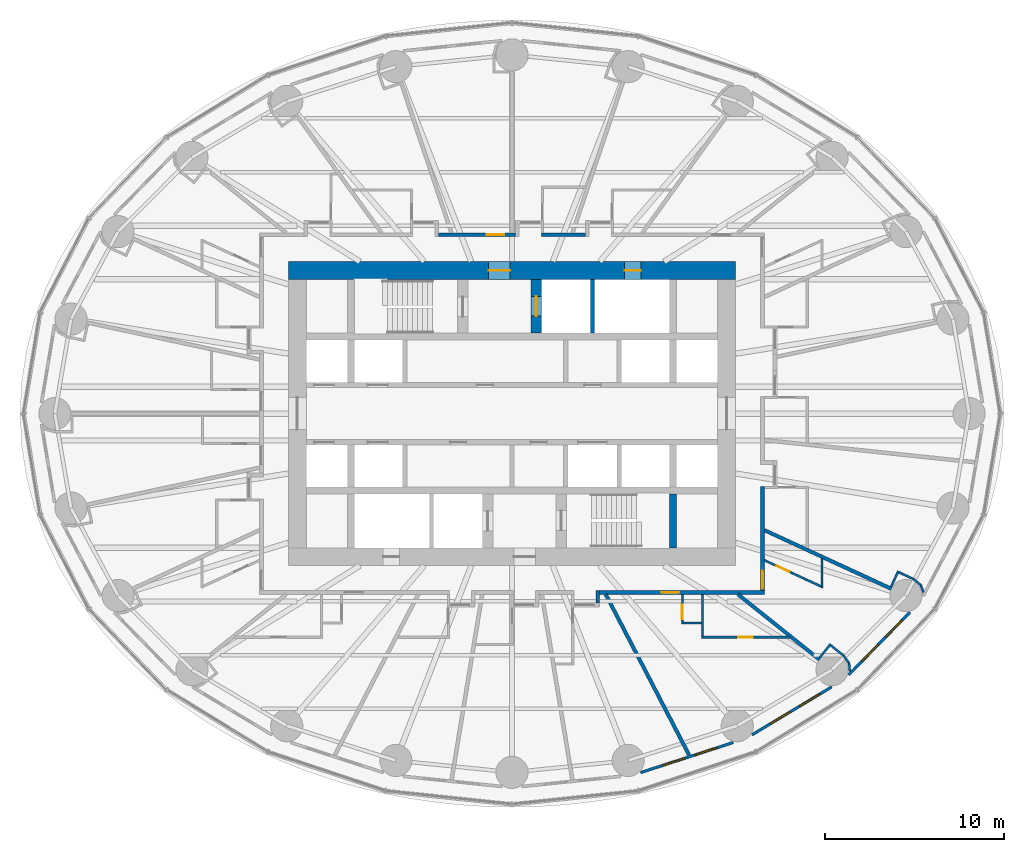
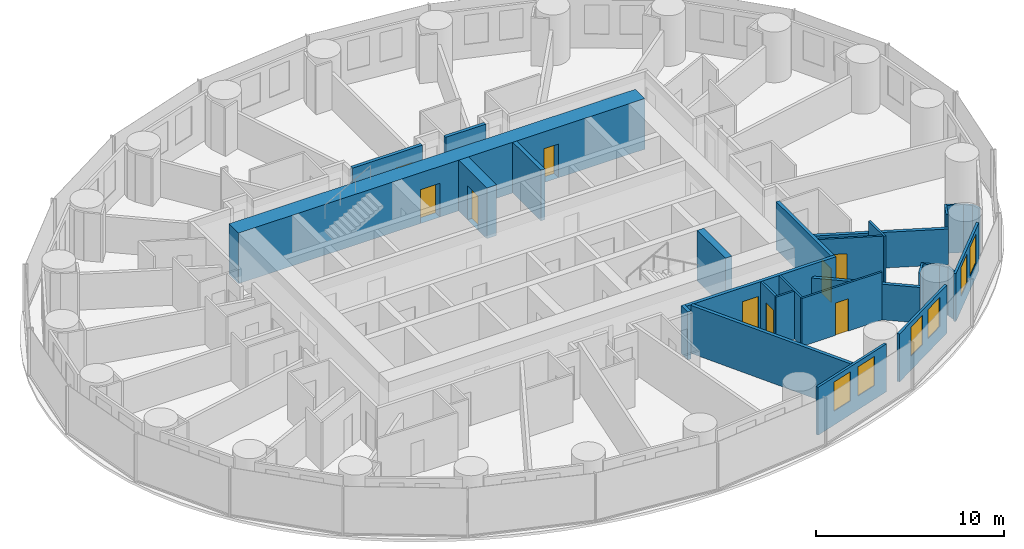
# One storey, part 9 of 14: 29 walls, 9 doors, 6 windows, 15 openings.
"""IFC4 building model written with IfcOpenShell, lengths in metres."""

from ifc_helpers import new_model, si_unit, direction, frame, frame_2d, origin, place, context, subcontext, project, spatial, rectangle, extrude, material, layer, layer_set, type_object, element, fill, save


model = new_model("IFC4")

# Units and contexts
model_context = context("Model", 3, precision=1e-05, world=origin(), true_north=direction((0.0, 1.0)))
body_context = subcontext(model_context, "Body", "Model", "MODEL_VIEW")
ifc_project = project(units=[si_unit("LENGTHUNIT", "METRE"), si_unit("AREAUNIT", "SQUARE_METRE"), si_unit("VOLUMEUNIT", "CUBIC_METRE"), si_unit("PLANEANGLEUNIT", "RADIAN"), si_unit("MASSUNIT", "GRAM", prefix="KILO")], contexts=[model_context])

# Site, building, storey
site_placement = place(None, origin())
site = spatial("IfcSite", under=ifc_project, at=site_placement, CompositionType="ELEMENT")
building_placement = place(site_placement, origin())
building = spatial("IfcBuilding", under=site, at=building_placement, Name="Hankou Lantern Tower", CompositionType="ELEMENT")
storey_placement = place(building_placement, frame((0.0, 0.0, 29.39990234375)))
storey = spatial("IfcBuildingStorey", under=building, at=storey_placement, Name="L05", CompositionType="ELEMENT", Elevation=29.39990234375)

# Wall, openings, doors
ifc_material_1 = material(Name="Concrete C60", Category="concrete")
ifc_layer_1 = layer(ifc_material_1, 1.0)
ifc_layer_set_1 = layer_set([ifc_layer_1], Name="Concrete C60")
wall_type_1 = type_object("IfcWallType", Name="CW1 CORE WALL 1000", PredefinedType="SHEAR", material=ifc_layer_set_1)
wall_1_placement = place(storey_placement, frame((-12.5, 8.0, 0.0), z_axis=(0.0, 0.0, 1.0), x_axis=(1.0, 0.0, 0.0)))
wall_1 = element("IfcWall", 1, at=wall_1_placement, inside=storey, type_object=wall_type_1, Name="Core wall north L05", PredefinedType="SHEAR", context=body_context, shape_type="SweptSolid", body=[
    extrude(rectangle(XDim=25.0, YDim=1.0, at=frame_2d((12.5, 0.0))), origin(), (0.0, 0.0, 1.0), 3.300048828125),
])
opening_1_placement = place(wall_1_placement, frame((11.199951171875, 0.0, 0.0)))
opening_1 = element("IfcOpeningElement", 2, at=opening_1_placement, cuts=wall_1, Name="Opening D5", PredefinedType="OPENING", context=body_context, shape_type="SweptSolid", body=[
    extrude(rectangle(XDim=1.199951171875, YDim=2.199951171875, at=frame_2d((0.60009765625, 1.10009765625))), frame((0.0, 0.510009765625, 0.0), z_axis=(0.0, -1.0, 0.0), x_axis=(1.0, 0.0, 0.0)), (0.0, 0.0, 1.0), 1.02001953125),
])
opening_2_placement = place(wall_1_placement, frame((18.800048828125, 0.0, 0.0)))
opening_2 = element("IfcOpeningElement", 3, at=opening_2_placement, cuts=wall_1, Name="Opening D7", PredefinedType="OPENING", context=body_context, shape_type="SweptSolid", body=[
    extrude(rectangle(XDim=0.89990234375, YDim=2.199951171875, at=frame_2d((0.449951171875, 1.10009765625))), frame((0.0, 0.510009765625, 0.0), z_axis=(0.0, -1.0, 0.0), x_axis=(1.0, 0.0, 0.0)), (0.0, 0.0, 1.0), 1.02001953125),
])
ifc_material_2 = material(Name="Steel door leaf", Category="steel")
door_type_1 = type_object("IfcDoorType", Name="D5 STAIR LOBBY DOOR 1200X2200", OperationType="SINGLE_SWING_LEFT", PredefinedType="DOOR", material=ifc_material_2)
door_1_placement = place(opening_1_placement, origin())
door_1 = element("IfcDoor", 4, at=door_1_placement, inside=storey, type_object=door_type_1, Name="Stair A lobby door", OperationType="SINGLE_SWING_LEFT", OverallHeight=2.199951171875, OverallWidth=1.199951171875, PredefinedType="DOOR", context=body_context, shape_type="SweptSolid", body=[
    extrude(rectangle(XDim=1.199951171875, YDim=2.199951171875, at=frame_2d((0.60009765625, 1.10009765625))), frame((0.0, 0.02490234375, 0.0), z_axis=(0.0, -1.0, 0.0), x_axis=(1.0, 0.0, 0.0)), (0.0, 0.0, 1.0), 0.050048828125),
])
fill(opening_1, door_1)
ifc_material_3 = material(Name="Steel door leaf", Category="steel")
door_type_2 = type_object("IfcDoorType", Name="D7 RISER DOOR 900X2200", OperationType="SINGLE_SWING_LEFT", PredefinedType="DOOR", material=ifc_material_3)
door_2_placement = place(opening_2_placement, origin())
door_2 = element("IfcDoor", 5, at=door_2_placement, inside=storey, type_object=door_type_2, Name="Riser N1 door", OperationType="SINGLE_SWING_RIGHT", OverallHeight=2.199951171875, OverallWidth=0.89990234375, PredefinedType="DOOR", context=body_context, shape_type="SweptSolid", body=[
    extrude(rectangle(XDim=0.89990234375, YDim=2.199951171875, at=frame_2d((0.449951171875, 1.10009765625))), frame((0.0, 0.02490234375, 0.0), z_axis=(0.0, -1.0, 0.0), x_axis=(1.0, 0.0, 0.0)), (0.0, 0.0, 1.0), 0.050048828125),
])
fill(opening_2, door_2)

# Wall
ifc_material_4 = material(Name="Concrete C60", Category="concrete")
ifc_layer_2 = layer(ifc_material_4, 0.39990234375)
ifc_layer_set_2 = layer_set([ifc_layer_2], Name="Concrete C60")
wall_type_2 = type_object("IfcWallType", Name="CW4 CORE CROSS WALL 400", PredefinedType="SHEAR", material=ifc_layer_set_2)
wall_2_placement = place(storey_placement, frame((9.0, -7.5, 0.0), z_axis=(0.0, 0.0, 1.0), x_axis=(0.0, 1.0, 0.0)))
element("IfcWall", 6, at=wall_2_placement, inside=storey, type_object=wall_type_2, Name="Core strip wall L05", PredefinedType="SHEAR", context=body_context, shape_type="SweptSolid", body=[
    extrude(rectangle(XDim=3.0, YDim=0.39990234375, at=frame_2d((1.5, 0.0))), origin(), (0.0, 0.0, 1.0), 3.300048828125),
])

# Wall, opening, door
ifc_material_5 = material(Name="Concrete C60", Category="concrete")
ifc_layer_3 = layer(ifc_material_5, 0.60009765625)
ifc_layer_set_3 = layer_set([ifc_layer_3], Name="Concrete C60")
wall_type_3 = type_object("IfcWallType", Name="CW6 STAIR AND SHAFT WALL 600", PredefinedType="SHEAR", material=ifc_layer_set_3)
wall_3_placement = place(storey_placement, frame((1.35009765625, 4.5, 0.0), z_axis=(0.0, 0.0, 1.0), x_axis=(0.0, 1.0, 0.0)))
wall_3 = element("IfcWall", 7, at=wall_3_placement, inside=storey, type_object=wall_type_3, Name="Firefighting lift shaft wall L05", PredefinedType="SHEAR", context=body_context, shape_type="SweptSolid", body=[
    extrude(rectangle(XDim=3.0, YDim=0.60009765625, at=frame_2d((1.5, 0.0))), origin(), (0.0, 0.0, 1.0), 3.300048828125),
])
opening_3_placement = place(wall_3_placement, frame((0.949951171875, 0.0, 0.0)))
opening_3 = element("IfcOpeningElement", 8, at=opening_3_placement, cuts=wall_3, Name="Opening LD2", PredefinedType="OPENING", context=body_context, shape_type="SweptSolid", body=[
    extrude(rectangle(XDim=1.10009765625, YDim=2.199951171875, at=frame_2d((0.550048828125, 1.10009765625))), frame((0.0, 0.31005859375, 0.0), z_axis=(0.0, -1.0, 0.0), x_axis=(1.0, 0.0, 0.0)), (0.0, 0.0, 1.0), 0.6201171875),
])
ifc_material_6 = material(Name="Steel door leaf", Category="steel")
door_type_3 = type_object("IfcDoorType", Name="LD2 FIREFIGHTING LIFT LANDING DOOR 1100X2200", OperationType="DOUBLE_DOOR_SLIDING", PredefinedType="DOOR", material=ifc_material_6)
door_3_placement = place(opening_3_placement, origin())
door_3 = element("IfcDoor", 9, at=door_3_placement, inside=storey, type_object=door_type_3, Name="Firefighting lift FL1 landing door", OperationType="DOUBLE_DOOR_SLIDING", OverallHeight=2.199951171875, OverallWidth=1.10009765625, PredefinedType="DOOR", context=body_context, shape_type="SweptSolid", body=[
    extrude(rectangle(XDim=1.10009765625, YDim=2.199951171875, at=frame_2d((0.550048828125, 1.10009765625))), frame((0.0, 0.02490234375, 0.0), z_axis=(0.0, -1.0, 0.0), x_axis=(1.0, 0.0, 0.0)), (0.0, 0.0, 1.0), 0.050048828125),
])
fill(opening_3, door_3)

# Wall, openings, windows
ifc_material_7 = material(Name="Aluminium spandrel panel on steel studs", Category="steel")
ifc_layer_4 = layer(ifc_material_7, 0.14990234375)
ifc_layer_set_4 = layer_set([ifc_layer_4], Name="Aluminium spandrel panel on steel studs")
wall_type_4 = type_object("IfcWallType", Name="EW1 INNER SKIN WALL 150", PredefinedType="ELEMENTEDWALL", material=ifc_layer_set_4)
wall_4_placement = place(storey_placement, frame((7.188232421875, -20.06494140625, 0.0), z_axis=(0.0, 0.0, 1.0), x_axis=(0.951138486029, 0.308764603532, 0.0)))
wall_4 = element("IfcWall", 10, at=wall_4_placement, inside=storey, type_object=wall_type_4, Name="Inner skin R20-R21 L05", PredefinedType="ELEMENTEDWALL", context=body_context, shape_type="SweptSolid", body=[
    extrude(rectangle(XDim=5.444091796875, YDim=0.14990234375, at=frame_2d((2.72216796875, 0.0))), origin(), (0.0, 0.0, 1.0), 3.1201171875),
])
opening_4_placement = place(wall_4_placement, frame((1.2841796875, 0.0, 0.89990234375)))
opening_4 = element("IfcOpeningElement", 11, at=opening_4_placement, cuts=wall_4, Name="Opening W9", PredefinedType="OPENING", context=body_context, shape_type="SweptSolid", body=[
    extrude(rectangle(XDim=1.300048828125, YDim=1.89990234375, at=frame_2d((0.64990234375, 0.949951171875))), frame((0.0, 0.0849609375, 0.0), z_axis=(0.0, -1.0, 0.0), x_axis=(1.0, 0.0, 0.0)), (0.0, 0.0, 1.0), 0.169921875),
])
opening_5_placement = place(wall_4_placement, frame((3.18408203125, 0.0, 0.89990234375)))
opening_5 = element("IfcOpeningElement", 12, at=opening_5_placement, cuts=wall_4, Name="Opening W9", PredefinedType="OPENING", context=body_context, shape_type="SweptSolid", body=[
    extrude(rectangle(XDim=1.300048828125, YDim=1.89990234375, at=frame_2d((0.64990234375, 0.949951171875))), frame((0.0, 0.0849609375, 0.0), z_axis=(0.0, -1.0, 0.0), x_axis=(1.0, 0.0, 0.0)), (0.0, 0.0, 1.0), 0.169921875),
])
ifc_material_8 = material(Name="Aluminium framed double glazed window", Category="aluminium")
window_type = type_object("IfcWindowType", Name="W9 GUEST ROOM WINDOW 1300X1900", PartitioningType="DOUBLE_PANEL_VERTICAL", PredefinedType="WINDOW", material=ifc_material_8)
window_1_placement = place(opening_4_placement, origin())
window_1 = element("IfcWindow", 13, at=window_1_placement, inside=storey, type_object=window_type, Name="Window R20.1 L05", OverallHeight=1.89990234375, OverallWidth=1.300048828125, PartitioningType="SINGLE_PANEL", PredefinedType="WINDOW", context=body_context, shape_type="SweptSolid", body=[
    extrude(rectangle(XDim=1.300048828125, YDim=1.89990234375, at=frame_2d((0.64990234375, 0.949951171875))), frame((0.0, 0.030029296875, 0.0), z_axis=(0.0, -1.0, 0.0), x_axis=(1.0, 0.0, 0.0)), (0.0, 0.0, 1.0), 0.06005859375),
])
fill(opening_4, window_1)
window_2_placement = place(opening_5_placement, origin())
window_2 = element("IfcWindow", 14, at=window_2_placement, inside=storey, type_object=window_type, Name="Window R20.2 L05", OverallHeight=1.89990234375, OverallWidth=1.300048828125, PartitioningType="SINGLE_PANEL", PredefinedType="WINDOW", context=body_context, shape_type="SweptSolid", body=[
    extrude(rectangle(XDim=1.300048828125, YDim=1.89990234375, at=frame_2d((0.64990234375, 0.949951171875))), frame((0.0, 0.030029296875, 0.0), z_axis=(0.0, -1.0, 0.0), x_axis=(1.0, 0.0, 0.0)), (0.0, 0.0, 1.0), 0.06005859375),
])
fill(opening_5, window_2)

wall_5_placement = place(storey_placement, frame((13.412109375, -17.957275390625, 0.0), z_axis=(0.0, 0.0, 1.0), x_axis=(0.856958191554, 0.515385931054, 0.0)))
wall_5 = element("IfcWall", 15, at=wall_5_placement, inside=storey, type_object=wall_type_4, Name="Inner skin R21-R22 L05", PredefinedType="ELEMENTEDWALL", context=body_context, shape_type="SweptSolid", body=[
    extrude(rectangle(XDim=5.201171875, YDim=0.14990234375, at=frame_2d((2.6005859375, 0.0))), origin(), (0.0, 0.0, 1.0), 3.1201171875),
])
opening_6_placement = place(wall_5_placement, frame((1.22509765625, 0.0, 0.89990234375)))
opening_6 = element("IfcOpeningElement", 16, at=opening_6_placement, cuts=wall_5, Name="Opening W9", PredefinedType="OPENING", context=body_context, shape_type="SweptSolid", body=[
    extrude(rectangle(XDim=1.300048828125, YDim=1.89990234375, at=frame_2d((0.64990234375, 0.949951171875))), frame((0.0, 0.0849609375, 0.0), z_axis=(0.0, -1.0, 0.0), x_axis=(1.0, 0.0, 0.0)), (0.0, 0.0, 1.0), 0.169921875),
])
opening_7_placement = place(wall_5_placement, frame((3.125, 0.0, 0.89990234375)))
opening_7 = element("IfcOpeningElement", 17, at=opening_7_placement, cuts=wall_5, Name="Opening W9", PredefinedType="OPENING", context=body_context, shape_type="SweptSolid", body=[
    extrude(rectangle(XDim=1.300048828125, YDim=1.89990234375, at=frame_2d((0.64990234375, 0.949951171875))), frame((0.0, 0.0849609375, 0.0), z_axis=(0.0, -1.0, 0.0), x_axis=(1.0, 0.0, 0.0)), (0.0, 0.0, 1.0), 0.169921875),
])
window_3_placement = place(opening_6_placement, origin())
window_3 = element("IfcWindow", 18, at=window_3_placement, inside=storey, type_object=window_type, Name="Window R21.1 L05", OverallHeight=1.89990234375, OverallWidth=1.300048828125, PartitioningType="SINGLE_PANEL", PredefinedType="WINDOW", context=body_context, shape_type="SweptSolid", body=[
    extrude(rectangle(XDim=1.300048828125, YDim=1.89990234375, at=frame_2d((0.64990234375, 0.949951171875))), frame((0.0, 0.030029296875, 0.0), z_axis=(0.0, -1.0, 0.0), x_axis=(1.0, 0.0, 0.0)), (0.0, 0.0, 1.0), 0.06005859375),
])
fill(opening_6, window_3)
window_4_placement = place(opening_7_placement, origin())
window_4 = element("IfcWindow", 19, at=window_4_placement, inside=storey, type_object=window_type, Name="Window R21.2 L05", OverallHeight=1.89990234375, OverallWidth=1.300048828125, PartitioningType="SINGLE_PANEL", PredefinedType="WINDOW", context=body_context, shape_type="SweptSolid", body=[
    extrude(rectangle(XDim=1.300048828125, YDim=1.89990234375, at=frame_2d((0.64990234375, 0.949951171875))), frame((0.0, 0.030029296875, 0.0), z_axis=(0.0, -1.0, 0.0), x_axis=(1.0, 0.0, 0.0)), (0.0, 0.0, 1.0), 0.06005859375),
])
fill(opening_7, window_4)

wall_6_placement = place(storey_placement, frame((18.8134765625, -14.606689453125, 0.0), z_axis=(0.0, 0.0, 1.0), x_axis=(0.699612594083, 0.714522370679, 0.0)))
wall_6 = element("IfcWall", 20, at=wall_6_placement, inside=storey, type_object=wall_type_4, Name="Inner skin R22-R23 L05", PredefinedType="ELEMENTEDWALL", context=body_context, shape_type="SweptSolid", body=[
    extrude(rectangle(XDim=4.89599609375, YDim=0.14990234375, at=frame_2d((2.447998046875, 0.0))), origin(), (0.0, 0.0, 1.0), 3.1201171875),
])
opening_8_placement = place(wall_6_placement, frame((1.076904296875, 0.0, 0.89990234375)))
opening_8 = element("IfcOpeningElement", 21, at=opening_8_placement, cuts=wall_6, Name="Opening W9", PredefinedType="OPENING", context=body_context, shape_type="SweptSolid", body=[
    extrude(rectangle(XDim=1.300048828125, YDim=1.89990234375, at=frame_2d((0.64990234375, 0.949951171875))), frame((0.0, 0.0849609375, 0.0), z_axis=(0.0, -1.0, 0.0), x_axis=(1.0, 0.0, 0.0)), (0.0, 0.0, 1.0), 0.169921875),
])
opening_9_placement = place(wall_6_placement, frame((2.976806640625, 0.0, 0.89990234375)))
opening_9 = element("IfcOpeningElement", 22, at=opening_9_placement, cuts=wall_6, Name="Opening W9", PredefinedType="OPENING", context=body_context, shape_type="SweptSolid", body=[
    extrude(rectangle(XDim=1.300048828125, YDim=1.89990234375, at=frame_2d((0.64990234375, 0.949951171875))), frame((0.0, 0.0849609375, 0.0), z_axis=(0.0, -1.0, 0.0), x_axis=(1.0, 0.0, 0.0)), (0.0, 0.0, 1.0), 0.169921875),
])
window_5_placement = place(opening_8_placement, origin())
window_5 = element("IfcWindow", 23, at=window_5_placement, inside=storey, type_object=window_type, Name="Window R22.1 L05", OverallHeight=1.89990234375, OverallWidth=1.300048828125, PartitioningType="SINGLE_PANEL", PredefinedType="WINDOW", context=body_context, shape_type="SweptSolid", body=[
    extrude(rectangle(XDim=1.300048828125, YDim=1.89990234375, at=frame_2d((0.64990234375, 0.949951171875))), frame((0.0, 0.030029296875, 0.0), z_axis=(0.0, -1.0, 0.0), x_axis=(1.0, 0.0, 0.0)), (0.0, 0.0, 1.0), 0.06005859375),
])
fill(opening_8, window_5)
window_6_placement = place(opening_9_placement, origin())
window_6 = element("IfcWindow", 24, at=window_6_placement, inside=storey, type_object=window_type, Name="Window R22.2 L05", OverallHeight=1.89990234375, OverallWidth=1.300048828125, PartitioningType="SINGLE_PANEL", PredefinedType="WINDOW", context=body_context, shape_type="SweptSolid", body=[
    extrude(rectangle(XDim=1.300048828125, YDim=1.89990234375, at=frame_2d((0.64990234375, 0.949951171875))), frame((0.0, 0.030029296875, 0.0), z_axis=(0.0, -1.0, 0.0), x_axis=(1.0, 0.0, 0.0)), (0.0, 0.0, 1.0), 0.06005859375),
])
fill(opening_9, window_6)

# Walls
ifc_material_9 = material(Name="Masonry lightweight concrete block", Category="masonry")
ifc_layer_5 = layer(ifc_material_9, 0.199951171875)
ifc_layer_set_5 = layer_set([ifc_layer_5], Name="Masonry lightweight concrete block")
wall_type_5 = type_object("IfcWallType", Name="IW1 GUEST ROOM PARTY WALL 200", PredefinedType="PARTITIONING", material=ifc_layer_set_5)
wall_7_placement = place(storey_placement, frame((5.238525390625, -10.10009765625, 0.0), z_axis=(0.0, 0.0, 1.0), x_axis=(0.460422783389, -0.887699758103, 0.0)))
element("IfcWall", 25, at=wall_7_placement, inside=storey, type_object=wall_type_5, Name="Party wall R20-R21", PredefinedType="PARTITIONING", context=body_context, shape_type="SweptSolid", body=[
    extrude(rectangle(XDim=10.120361328125, YDim=0.199951171875, at=frame_2d((5.06005859375, 0.0))), origin(), (0.0, 0.0, 1.0), 3.1201171875),
])
wall_8_placement = place(storey_placement, frame((12.625, -10.10009765625, 0.0), z_axis=(0.0, 0.0, 1.0), x_axis=(0.780872884676, -0.624689953479, 0.0)))
element("IfcWall", 26, at=wall_8_placement, inside=storey, type_object=wall_type_5, Name="Party wall R22", PredefinedType="PARTITIONING", context=body_context, shape_type="SweptSolid", body=[
    extrude(rectangle(XDim=5.8447265625, YDim=0.199951171875, at=frame_2d((2.92236328125, 0.0))), origin(), (0.0, 0.0, 1.0), 2.320068359375),
])
wall_9_placement = place(storey_placement, frame((14.10009765625, -6.512451171875, 0.0), z_axis=(0.0, 0.0, 1.0), x_axis=(0.907842433118, -0.41931147925, 0.0)))
element("IfcWall", 27, at=wall_9_placement, inside=storey, type_object=wall_type_5, Name="Party wall R23", PredefinedType="PARTITIONING", context=body_context, shape_type="SweptSolid", body=[
    extrude(rectangle(XDim=7.822998046875, YDim=0.199951171875, at=frame_2d((3.91162109375, 0.0))), origin(), (0.0, 0.0, 1.0), 2.320068359375),
])
ifc_material_10 = material(Name="Masonry lightweight concrete block", Category="masonry")
ifc_layer_6 = layer(ifc_material_10, 0.199951171875)
ifc_layer_set_6 = layer_set([ifc_layer_6], Name="Masonry lightweight concrete block")
wall_type_6 = type_object("IfcWallType", Name="IW2 CORRIDOR WALL 200", PredefinedType="PARTITIONING", material=ifc_layer_set_6)
wall_10_placement = place(storey_placement, frame((4.794921875, -9.89990234375, 0.0), z_axis=(0.0, 0.0, 1.0), x_axis=(0.0, -1.0, 0.0)))
element("IfcWall", 28, at=wall_10_placement, inside=storey, type_object=wall_type_6, Name="Corridor recess wall 0521 side", PredefinedType="PARTITIONING", context=body_context, shape_type="SweptSolid", body=[
    extrude(rectangle(XDim=0.7001953125, YDim=0.199951171875, at=frame_2d((0.35009765625, 0.0))), origin(), (0.0, 0.0, 1.0), 3.1201171875),
])

# Wall, opening, door
wall_11_placement = place(storey_placement, frame((14.0, -9.89990234375, 0.0), z_axis=(0.0, 0.0, 1.0), x_axis=(0.0, 1.0, 0.0)))
wall_11 = element("IfcWall", 29, at=wall_11_placement, inside=storey, type_object=wall_type_6, Name="Corridor wall east", PredefinedType="PARTITIONING", context=body_context, shape_type="SweptSolid", body=[
    extrude(rectangle(XDim=5.827392578125, YDim=0.199951171875, at=frame_2d((2.91357421875, 0.0))), origin(), (0.0, 0.0, 1.0), 3.1201171875),
])
opening_10_placement = place(wall_11_placement, frame((0.1025390625, 0.0, 0.0)))
opening_10 = element("IfcOpeningElement", 30, at=opening_10_placement, cuts=wall_11, Name="Opening D1", PredefinedType="OPENING", context=body_context, shape_type="SweptSolid", body=[
    extrude(rectangle(XDim=1.0, YDim=2.199951171875, at=frame_2d((0.5, 1.10009765625))), frame((0.0, 0.10986328125, 0.0), z_axis=(0.0, -1.0, 0.0), x_axis=(1.0, 0.0, 0.0)), (0.0, 0.0, 1.0), 0.219970703125),
])
ifc_material_11 = material(Name="Steel door leaf", Category="steel")
door_type_4 = type_object("IfcDoorType", Name="D1 GUEST ROOM DOOR 1000X2200", OperationType="SINGLE_SWING_LEFT", PredefinedType="DOOR", material=ifc_material_11)
door_4_placement = place(opening_10_placement, origin())
door_4 = element("IfcDoor", 31, at=door_4_placement, inside=storey, type_object=door_type_4, Name="Guest room door 0501", OperationType="SINGLE_SWING_LEFT", OverallHeight=2.199951171875, OverallWidth=1.0, PredefinedType="DOOR", context=body_context, shape_type="SweptSolid", body=[
    extrude(rectangle(XDim=1.0, YDim=2.199951171875, at=frame_2d((0.5, 1.10009765625))), frame((0.0, 0.02490234375, 0.0), z_axis=(0.0, -1.0, 0.0), x_axis=(1.0, 0.0, 0.0)), (0.0, 0.0, 1.0), 0.050048828125),
])
fill(opening_10, door_4)

wall_12_placement = place(storey_placement, frame((-4.109130859375, 10.0, 0.0), z_axis=(0.0, 0.0, 1.0), x_axis=(1.0, 0.0, 0.0)))
wall_12 = element("IfcWall", 32, at=wall_12_placement, inside=storey, type_object=wall_type_6, Name="Corridor wall north", PredefinedType="PARTITIONING", context=body_context, shape_type="SweptSolid", body=[
    extrude(rectangle(XDim=4.31201171875, YDim=0.199951171875, at=frame_2d((2.156005859375, 0.0))), origin(), (0.0, 0.0, 1.0), 3.1201171875),
])
opening_11_placement = place(wall_12_placement, frame((2.68896484375, 0.0, 0.0)))
opening_11 = element("IfcOpeningElement", 33, at=opening_11_placement, cuts=wall_12, Name="Opening D28", PredefinedType="OPENING", context=body_context, shape_type="SweptSolid", body=[
    extrude(rectangle(XDim=1.0, YDim=2.199951171875, at=frame_2d((0.5, 1.10009765625))), frame((0.0, 0.10986328125, 0.0), z_axis=(0.0, -1.0, 0.0), x_axis=(1.0, 0.0, 0.0)), (0.0, 0.0, 1.0), 0.219970703125),
])
ifc_material_12 = material(Name="Steel door leaf", Category="steel")
door_type_5 = type_object("IfcDoorType", Name="D28 SERVICE DOOR 1000X2200", OperationType="SINGLE_SWING_LEFT", PredefinedType="DOOR", material=ifc_material_12)
door_5_placement = place(opening_11_placement, origin())
door_5 = element("IfcDoor", 34, at=door_5_placement, inside=storey, type_object=door_type_5, Name="Service door 0509", OperationType="SINGLE_SWING_RIGHT", OverallHeight=2.199951171875, OverallWidth=1.0, PredefinedType="DOOR", context=body_context, shape_type="SweptSolid", body=[
    extrude(rectangle(XDim=1.0, YDim=2.199951171875, at=frame_2d((0.5, 1.10009765625))), frame((0.0, 0.02490234375, 0.0), z_axis=(0.0, -1.0, 0.0), x_axis=(1.0, 0.0, 0.0)), (0.0, 0.0, 1.0), 0.050048828125),
])
fill(opening_11, door_5)

# Wall
wall_13_placement = place(storey_placement, frame((1.642822265625, 10.0, 0.0), z_axis=(0.0, 0.0, 1.0), x_axis=(1.0, 0.0, 0.0)))
element("IfcWall", 35, at=wall_13_placement, inside=storey, type_object=wall_type_6, Name="Corridor wall north", PredefinedType="PARTITIONING", context=body_context, shape_type="SweptSolid", body=[
    extrude(rectangle(XDim=2.46630859375, YDim=0.199951171875, at=frame_2d((1.233154296875, 0.0))), origin(), (0.0, 0.0, 1.0), 3.1201171875),
])

# Wall, opening, door
wall_14_placement = place(storey_placement, frame((14.10009765625, -10.0, 0.0), z_axis=(0.0, 0.0, 1.0), x_axis=(-1.0, 0.0, 0.0)))
wall_14 = element("IfcWall", 36, at=wall_14_placement, inside=storey, type_object=wall_type_6, Name="Corridor wall south", PredefinedType="PARTITIONING", context=body_context, shape_type="SweptSolid", body=[
    extrude(rectangle(XDim=9.205078125, YDim=0.199951171875, at=frame_2d((4.6025390625, 0.0))), origin(), (0.0, 0.0, 1.0), 3.1201171875),
])
opening_12_placement = place(wall_14_placement, frame((4.7548828125, 0.0, 0.0)))
opening_12 = element("IfcOpeningElement", 37, at=opening_12_placement, cuts=wall_14, Name="Opening D1", PredefinedType="OPENING", context=body_context, shape_type="SweptSolid", body=[
    extrude(rectangle(XDim=1.0, YDim=2.199951171875, at=frame_2d((0.5, 1.10009765625))), frame((0.0, 0.10986328125, 0.0), z_axis=(0.0, -1.0, 0.0), x_axis=(1.0, 0.0, 0.0)), (0.0, 0.0, 1.0), 0.219970703125),
])
door_6_placement = place(opening_12_placement, origin())
door_6 = element("IfcDoor", 38, at=door_6_placement, inside=storey, type_object=door_type_4, Name="Guest room door 0522", OperationType="SINGLE_SWING_LEFT", OverallHeight=2.199951171875, OverallWidth=1.0, PredefinedType="DOOR", context=body_context, shape_type="SweptSolid", body=[
    extrude(rectangle(XDim=1.0, YDim=2.199951171875, at=frame_2d((0.5, 1.10009765625))), frame((0.0, 0.02490234375, 0.0), z_axis=(0.0, -1.0, 0.0), x_axis=(1.0, 0.0, 0.0)), (0.0, 0.0, 1.0), 0.050048828125),
])
fill(opening_12, door_6)

# Wall
ifc_material_13 = material(Name="Masonry lightweight concrete block", Category="masonry")
ifc_layer_7 = layer(ifc_material_13, 0.1201171875)
ifc_layer_set_7 = layer_set([ifc_layer_7], Name="Masonry lightweight concrete block")
wall_type_7 = type_object("IfcWallType", Name="IW3 BATHROOM WALL 120", PredefinedType="PARTITIONING", material=ifc_layer_set_7)
wall_15_placement = place(storey_placement, frame((17.32275390625, -8.10107421875, 0.0), z_axis=(0.0, 0.0, 1.0), x_axis=(0.0, -1.0, 0.0)))
element("IfcWall", 39, at=wall_15_placement, inside=storey, type_object=wall_type_7, Name="Box wall 0501 1", PredefinedType="PARTITIONING", context=body_context, shape_type="SweptSolid", body=[
    extrude(rectangle(XDim=1.639892578125, YDim=0.1201171875, at=frame_2d((0.81982421875, 0.0))), origin(), (0.0, 0.0, 1.0), 3.1201171875),
])

# Wall, opening, door
wall_16_placement = place(storey_placement, frame((14.10009765625, -8.192626953125, 0.0), z_axis=(0.0, 0.0, 1.0), x_axis=(0.907836493557, -0.419324338628, 0.0)))
wall_16 = element("IfcWall", 40, at=wall_16_placement, inside=storey, type_object=wall_type_7, Name="Box wall 0501 1", PredefinedType="PARTITIONING", context=body_context, shape_type="SweptSolid", body=[
    extrude(rectangle(XDim=3.48974609375, YDim=0.1201171875, at=frame_2d((1.744873046875, 0.0))), origin(), (0.0, 0.0, 1.0), 3.1201171875),
])
opening_13_placement = place(wall_16_placement, frame((0.75, 0.0, 0.0)))
opening_13 = element("IfcOpeningElement", 41, at=opening_13_placement, cuts=wall_16, Name="Opening D3", PredefinedType="OPENING", context=body_context, shape_type="SweptSolid", body=[
    extrude(rectangle(XDim=0.800048828125, YDim=2.10009765625, at=frame_2d((0.39990234375, 1.050048828125))), frame((0.0, 0.070068359375, 0.0), z_axis=(0.0, -1.0, 0.0), x_axis=(1.0, 0.0, 0.0)), (0.0, 0.0, 1.0), 0.14013671875),
])
ifc_material_14 = material(Name="Timber door leaf", Category="wood")
door_type_6 = type_object("IfcDoorType", Name="D3 BATHROOM DOOR 800X2100", OperationType="SINGLE_SWING_LEFT", PredefinedType="DOOR", material=ifc_material_14)
door_7_placement = place(opening_13_placement, origin())
door_7 = element("IfcDoor", 42, at=door_7_placement, inside=storey, type_object=door_type_6, Name="En-suite bathroom 0501 door", OperationType="SINGLE_SWING_LEFT", OverallHeight=2.10009765625, OverallWidth=0.800048828125, PredefinedType="DOOR", context=body_context, shape_type="SweptSolid", body=[
    extrude(rectangle(XDim=0.800048828125, YDim=2.10009765625, at=frame_2d((0.39990234375, 1.050048828125))), frame((0.0, 0.02490234375, 0.0), z_axis=(0.0, -1.0, 0.0), x_axis=(1.0, 0.0, 0.0)), (0.0, 0.0, 1.0), 0.050048828125),
])
fill(opening_13, door_7)

wall_17_placement = place(storey_placement, frame((15.52490234375, -12.5, 0.0), z_axis=(0.0, 0.0, 1.0), x_axis=(-1.0, 0.0, 0.0)))
wall_17 = element("IfcWall", 43, at=wall_17_placement, inside=storey, type_object=wall_type_7, Name="Box wall 0522 1", PredefinedType="PARTITIONING", context=body_context, shape_type="SweptSolid", body=[
    extrude(rectangle(XDim=4.93994140625, YDim=0.1201171875, at=frame_2d((2.469970703125, 0.0))), origin(), (0.0, 0.0, 1.0), 3.1201171875),
])
opening_14_placement = place(wall_17_placement, frame((2.070068359375, 0.0, 0.0)))
opening_14 = element("IfcOpeningElement", 44, at=opening_14_placement, cuts=wall_17, Name="Opening D3", PredefinedType="OPENING", context=body_context, shape_type="SweptSolid", body=[
    extrude(rectangle(XDim=0.800048828125, YDim=2.10009765625, at=frame_2d((0.39990234375, 1.050048828125))), frame((0.0, 0.070068359375, 0.0), z_axis=(0.0, -1.0, 0.0), x_axis=(1.0, 0.0, 0.0)), (0.0, 0.0, 1.0), 0.14013671875),
])
door_8_placement = place(opening_14_placement, origin())
door_8 = element("IfcDoor", 45, at=door_8_placement, inside=storey, type_object=door_type_6, Name="En-suite bathroom 0522 door", OperationType="SINGLE_SWING_RIGHT", OverallHeight=2.10009765625, OverallWidth=0.800048828125, PredefinedType="DOOR", context=body_context, shape_type="SweptSolid", body=[
    extrude(rectangle(XDim=0.800048828125, YDim=2.10009765625, at=frame_2d((0.39990234375, 1.050048828125))), frame((0.0, 0.02490234375, 0.0), z_axis=(0.0, -1.0, 0.0), x_axis=(1.0, 0.0, 0.0)), (0.0, 0.0, 1.0), 0.050048828125),
])
fill(opening_14, door_8)

# Walls
wall_18_placement = place(storey_placement, frame((10.64501953125, -10.10009765625, 0.0), z_axis=(0.0, 0.0, 1.0), x_axis=(0.0, -1.0, 0.0)))
element("IfcWall", 46, at=wall_18_placement, inside=storey, type_object=wall_type_7, Name="Box wall 0522 1", PredefinedType="PARTITIONING", context=body_context, shape_type="SweptSolid", body=[
    extrude(rectangle(XDim=2.33984375, YDim=0.1201171875, at=frame_2d((1.169921875, 0.0))), origin(), (0.0, 0.0, 1.0), 3.1201171875),
])
wall_19_placement = place(storey_placement, frame((10.5849609375, -11.699951171875, 0.0), z_axis=(0.0, 0.0, 1.0), x_axis=(-1.0, 0.0, 0.0)))
element("IfcWall", 47, at=wall_19_placement, inside=storey, type_object=wall_type_7, Name="Box wall 0522 2", PredefinedType="PARTITIONING", context=body_context, shape_type="SweptSolid", body=[
    extrude(rectangle(XDim=1.119873046875, YDim=0.1201171875, at=frame_2d((0.56005859375, 0.0))), origin(), (0.0, 0.0, 1.0), 3.1201171875),
])

# Wall, opening, door
wall_20_placement = place(storey_placement, frame((9.52490234375, -10.10009765625, 0.0), z_axis=(0.0, 0.0, 1.0), x_axis=(0.0, -1.0, 0.0)))
wall_20 = element("IfcWall", 48, at=wall_20_placement, inside=storey, type_object=wall_type_7, Name="Box wall 0522 2", PredefinedType="PARTITIONING", context=body_context, shape_type="SweptSolid", body=[
    extrude(rectangle(XDim=1.539794921875, YDim=0.1201171875, at=frame_2d((0.77001953125, 0.0))), origin(), (0.0, 0.0, 1.0), 3.1201171875),
])
opening_15_placement = place(wall_20_placement, frame((0.590087890625, 0.0, 0.0)))
opening_15 = element("IfcOpeningElement", 49, at=opening_15_placement, cuts=wall_20, Name="Opening D3", PredefinedType="OPENING", context=body_context, shape_type="SweptSolid", body=[
    extrude(rectangle(XDim=0.800048828125, YDim=2.10009765625, at=frame_2d((0.39990234375, 1.050048828125))), frame((0.0, 0.070068359375, 0.0), z_axis=(0.0, -1.0, 0.0), x_axis=(1.0, 0.0, 0.0)), (0.0, 0.0, 1.0), 0.14013671875),
])
door_9_placement = place(opening_15_placement, origin())
door_9 = element("IfcDoor", 50, at=door_9_placement, inside=storey, type_object=door_type_6, Name="En-suite WC 0522 door", OperationType="SINGLE_SWING_RIGHT", OverallHeight=2.10009765625, OverallWidth=0.800048828125, PredefinedType="DOOR", context=body_context, shape_type="SweptSolid", body=[
    extrude(rectangle(XDim=0.800048828125, YDim=2.10009765625, at=frame_2d((0.39990234375, 1.050048828125))), frame((0.0, 0.02490234375, 0.0), z_axis=(0.0, -1.0, 0.0), x_axis=(1.0, 0.0, 0.0)), (0.0, 0.0, 1.0), 0.050048828125),
])
fill(opening_15, door_9)

# Walls
ifc_material_15 = material(Name="Masonry lightweight concrete block", Category="masonry")
ifc_layer_8 = layer(ifc_material_15, 0.1201171875)
ifc_layer_set_8 = layer_set([ifc_layer_8], Name="Masonry lightweight concrete block")
wall_type_8 = type_object("IfcWallType", Name="IW4 PARTITION 120", PredefinedType="PARTITIONING", material=ifc_layer_set_8)
wall_21_placement = place(storey_placement, frame((17.20458984375, -13.635498046875, 0.0), z_axis=(0.0, 0.0, 1.0), x_axis=(0.624756144097, 0.780819928289, 0.0)))
element("IfcWall", 51, at=wall_21_placement, inside=storey, type_object=wall_type_8, Name="Column casing R22 return", PredefinedType="PARTITIONING", context=body_context, shape_type="SweptSolid", body=[
    extrude(rectangle(XDim=0.974609375, YDim=0.1201171875, at=frame_2d((0.4873046875, 0.0))), origin(), (0.0, 0.0, 1.0), 3.1201171875),
])
wall_22_placement = place(storey_placement, frame((17.82275390625, -12.958984375, 0.0), z_axis=(0.0, 0.0, 1.0), x_axis=(0.780895271023, -0.624661969144, 0.0)))
element("IfcWall", 52, at=wall_22_placement, inside=storey, type_object=wall_type_8, Name="Column casing R22", PredefinedType="PARTITIONING", context=body_context, shape_type="SweptSolid", body=[
    extrude(rectangle(XDim=0.900146484375, YDim=0.1201171875, at=frame_2d((0.4501953125, 0.0))), origin(), (0.0, 0.0, 1.0), 3.1201171875),
])
wall_23_placement = place(storey_placement, frame((18.525634765625, -13.521240234375, 0.0), z_axis=(0.0, 0.0, 1.0), x_axis=(0.592532503205, -0.805546542818, 0.0)))
element("IfcWall", 53, at=wall_23_placement, inside=storey, type_object=wall_type_8, Name="Column casing R22", PredefinedType="PARTITIONING", context=body_context, shape_type="SweptSolid", body=[
    extrude(rectangle(XDim=0.52490234375, YDim=0.1201171875, at=frame_2d((0.262451171875, 0.0))), origin(), (0.0, 0.0, 1.0), 3.1201171875),
])
wall_24_placement = place(storey_placement, frame((18.836669921875, -13.944091796875, 0.0), z_axis=(0.0, 0.0, 1.0), x_axis=(0.110543348478, -0.993871303594, 0.0)))
element("IfcWall", 54, at=wall_24_placement, inside=storey, type_object=wall_type_8, Name="Column casing R22", PredefinedType="PARTITIONING", context=body_context, shape_type="SweptSolid", body=[
    extrude(rectangle(XDim=0.479248046875, YDim=0.1201171875, at=frame_2d((0.23974609375, 0.0))), origin(), (0.0, 0.0, 1.0), 3.1201171875),
])
wall_25_placement = place(storey_placement, frame((21.189453125, -9.6767578125, 0.0), z_axis=(0.0, 0.0, 1.0), x_axis=(0.419344098106, 0.907827366509, 0.0)))
element("IfcWall", 55, at=wall_25_placement, inside=storey, type_object=wall_type_8, Name="Column casing R23 return", PredefinedType="PARTITIONING", context=body_context, shape_type="SweptSolid", body=[
    extrude(rectangle(XDim=0.974609375, YDim=0.1201171875, at=frame_2d((0.4873046875, 0.0))), origin(), (0.0, 0.0, 1.0), 3.1201171875),
])
wall_26_placement = place(storey_placement, frame((21.62744140625, -8.871826171875, 0.0), z_axis=(0.0, 0.0, 1.0), x_axis=(0.907935564339, -0.419109783957, 0.0)))
element("IfcWall", 56, at=wall_26_placement, inside=storey, type_object=wall_type_8, Name="Column casing R23", PredefinedType="PARTITIONING", context=body_context, shape_type="SweptSolid", body=[
    extrude(rectangle(XDim=0.89990234375, YDim=0.1201171875, at=frame_2d((0.449951171875, 0.0))), origin(), (0.0, 0.0, 1.0), 3.1201171875),
])
wall_27_placement = place(storey_placement, frame((22.444580078125, -9.2490234375, 0.0), z_axis=(0.0, 0.0, 1.0), x_axis=(0.768335565584, -0.640047231584, 0.0)))
element("IfcWall", 57, at=wall_27_placement, inside=storey, type_object=wall_type_8, Name="Column casing R23", PredefinedType="PARTITIONING", context=body_context, shape_type="SweptSolid", body=[
    extrude(rectangle(XDim=0.525146484375, YDim=0.1201171875, at=frame_2d((0.2626953125, 0.0))), origin(), (0.0, 0.0, 1.0), 3.1201171875),
])
wall_28_placement = place(storey_placement, frame((22.84814453125, -9.585205078125, 0.0), z_axis=(0.0, 0.0, 1.0), x_axis=(0.345267312673, -0.938504386138, 0.0)))
element("IfcWall", 58, at=wall_28_placement, inside=storey, type_object=wall_type_8, Name="Column casing R23", PredefinedType="PARTITIONING", context=body_context, shape_type="SweptSolid", body=[
    extrude(rectangle(XDim=0.439208984375, YDim=0.1201171875, at=frame_2d((0.2197265625, 0.0))), origin(), (0.0, 0.0, 1.0), 3.1201171875),
])
ifc_material_16 = material(Name="Masonry autoclaved aerated concrete block", Category="masonry")
ifc_layer_9 = layer(ifc_material_16, 0.25)
ifc_layer_set_9 = layer_set([ifc_layer_9], Name="Masonry autoclaved aerated concrete block")
wall_type_9 = type_object("IfcWallType", Name="SW1 SHAFT BLOCK WALL 250", PredefinedType="PARTITIONING", material=ifc_layer_set_9)
wall_29_placement = place(storey_placement, frame((4.5, 4.5, 0.0), z_axis=(0.0, 0.0, 1.0), x_axis=(0.0, 1.0, 0.0)))
element("IfcWall", 59, at=wall_29_placement, inside=storey, type_object=wall_type_9, Name="Riser wall L05", PredefinedType="PARTITIONING", context=body_context, shape_type="SweptSolid", body=[
    extrude(rectangle(XDim=3.0, YDim=0.25, at=frame_2d((1.5, 0.0))), origin(), (0.0, 0.0, 1.0), 3.300048828125),
])

save(model, "model.ifc")
